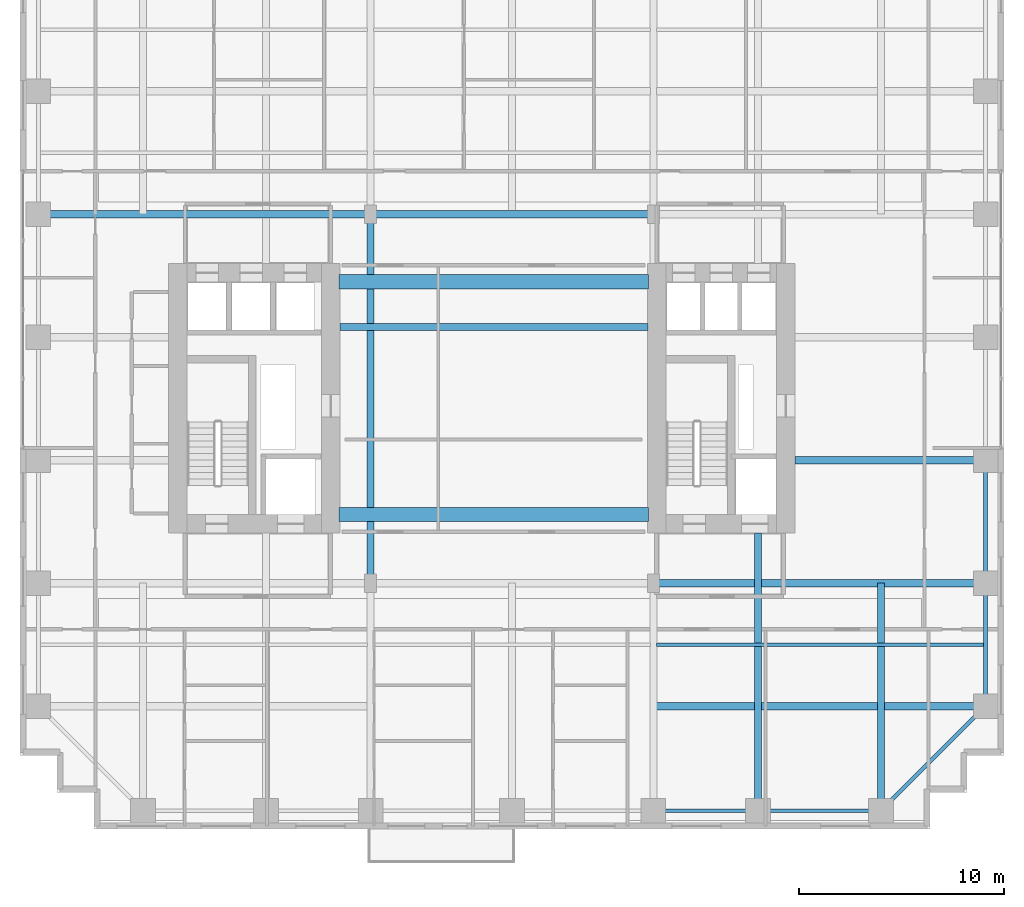
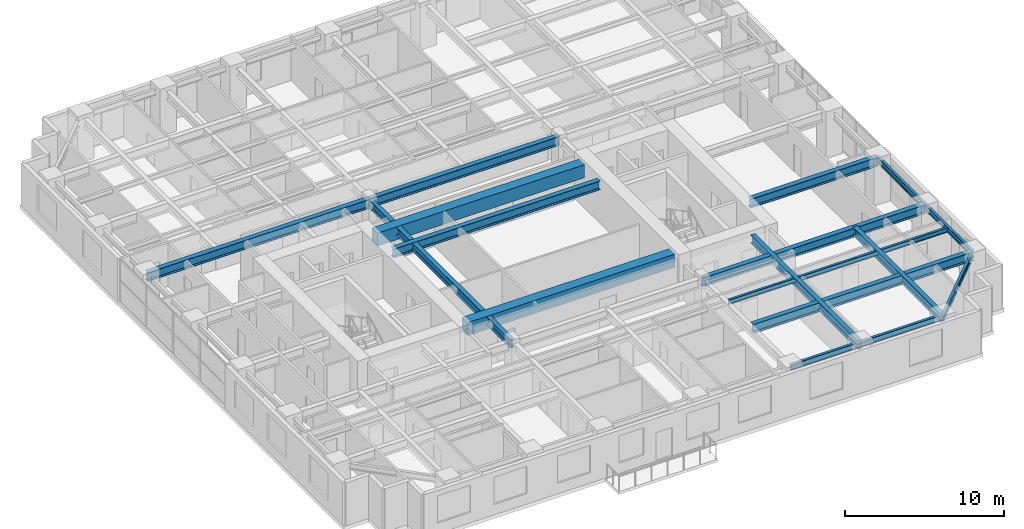
# One storey, part 3 of 19: 17 beams.
"""IFC4 building model written with IfcOpenShell, lengths in metres."""

from ifc_helpers import new_model, si_unit, direction, frame, origin, origin_2d, place, context, subcontext, project, spatial, rectangle, i_section, extrude, source, transform, mapped, material, material_profile, profile_set, type_object, element, save


model = new_model("IFC4")

# Units and contexts
model_context = context("Model", 3, precision=1e-05, world=origin(), true_north=direction((0.0, 1.0)))
body_context = subcontext(model_context, "Body", "Model", "MODEL_VIEW")
ifc_project = project(units=[si_unit("LENGTHUNIT", "METRE"), si_unit("AREAUNIT", "SQUARE_METRE"), si_unit("VOLUMEUNIT", "CUBIC_METRE"), si_unit("PLANEANGLEUNIT", "RADIAN"), si_unit("MASSUNIT", "GRAM", prefix="KILO")], contexts=[model_context])

# Site, building, storey
site_placement = place(None, origin())
site = spatial("IfcSite", under=ifc_project, at=site_placement, CompositionType="ELEMENT")
building_placement = place(site_placement, origin())
building = spatial("IfcBuilding", under=site, at=building_placement, Name="Khoralis Quay Care Tower", CompositionType="ELEMENT")
storey_placement = place(building_placement, frame((0.0, 0.0, 69.300048828125)))
storey = spatial("IfcBuildingStorey", under=building, at=storey_placement, Name="L18", CompositionType="ELEMENT", Elevation=69.300048828125)

# Beams
ifc_material_1 = material(Name="Concrete C80/95", Category="concrete")
ifc_material_profile_1 = material_profile(ifc_material_1, rectangle(XDim=0.699951171875, YDim=1.0, at=origin_2d()), Name="Concrete C80/95")
ifc_profile_set_1 = profile_set([ifc_material_profile_1], Name="Concrete C80/95")
beam_type_1 = type_object("IfcBeamType", Name="CB-RC700X1000", PredefinedType="LINTEL", material=ifc_profile_set_1)
shared_shape_1 = source(origin(), body_context, "Body", "SweptSolid", [
    extrude(rectangle(XDim=0.699951171875, YDim=1.0, at=origin_2d()), origin(), (0.0, 0.0, 1.0), 15.079833984375),
])
for number, where, z_axis, x_axis, name in (
    (1, (15.570068359375, 15.35009765625, 2.820068359375), (1.0, 0.0, 0.0), (0.0, 1.0, 0.0), "L18 South Core Coupling Lintel"),
    (2, (15.570068359375, 26.699951171875, 2.820068359375), (1.0, 0.0, 0.0), (0.0, 1.0, 0.0), "L18 North Core Coupling Lintel"),
):
    element("IfcBeam", number, at=place(storey_placement, frame(where, z_axis=z_axis, x_axis=x_axis)), inside=storey, type_object=beam_type_1, Name=name, PredefinedType="LINTEL", context=body_context, shape_type="MappedRepresentation", body=[
        mapped(shared_shape_1, transform((0.0, 0.0, 0.0), scale=1.0)),
    ])
ifc_material_2 = material(Name="Steel S355", Category="steel")
ifc_material_profile_2 = material_profile(ifc_material_2, i_section(OverallWidth=0.18994140625, OverallDepth=0.449951171875, WebThickness=0.009521484375, FlangeThickness=0.0146484375, FilletRadius=0.02099609375, at=origin_2d()), Name="Steel S355")
ifc_profile_set_2 = profile_set([ifc_material_profile_2], Name="Steel S355")
beam_type_2 = type_object("IfcBeamType", Name="BM-IPE450", PredefinedType="SPANDREL", material=ifc_profile_set_2)
shared_shape_2 = source(origin(), body_context, "Body", "SweptSolid", [
    extrude(i_section(OverallWidth=0.18994140625, OverallDepth=0.449951171875, WebThickness=0.009521484375, FlangeThickness=0.0146484375, FilletRadius=0.02099609375, at=origin_2d()), origin(), (0.0, 0.0, 1.0), 6.0),
])
for number, where, z_axis, x_axis, name in (
    (3, (36.0, 0.89990234375, 3.094970703125), (1.0, 0.0, 0.0), (0.0, 1.0, 0.0), "BM-TSP-L18-06"),
    (4, (47.10009765625, 6.0, 3.094970703125), (0.0, 1.0, 0.0), (-1.0, 0.0, 0.0), "BM-TSP-L18-19"),
    (5, (47.10009765625, 12.0, 3.094970703125), (0.0, 1.0, 0.0), (-1.0, 0.0, 0.0), "BM-TSP-L18-20"),
):
    element("IfcBeam", number, at=place(storey_placement, frame(where, z_axis=z_axis, x_axis=x_axis)), inside=storey, type_object=beam_type_2, Name=name, PredefinedType="SPANDREL", context=body_context, shape_type="MappedRepresentation", body=[
        mapped(shared_shape_2, transform((0.0, 0.0, 0.0), scale=1.0)),
    ])
shared_shape_3 = source(origin(), body_context, "Body", "SweptSolid", [
    extrude(i_section(OverallWidth=0.18994140625, OverallDepth=0.449951171875, WebThickness=0.009521484375, FlangeThickness=0.0146484375, FilletRadius=0.02099609375, at=origin_2d()), origin(), (0.0, 0.0, 1.0), 5.10009765625),
])
beam_1_placement = place(storey_placement, frame((30.89990234375, 0.89990234375, 3.094970703125), z_axis=(1.0, 0.0, 0.0), x_axis=(0.0, 1.0, 0.0)))
element("IfcBeam", 6, at=beam_1_placement, inside=storey, type_object=beam_type_2, Name="BM-TSP-L18-05", PredefinedType="SPANDREL", context=body_context, shape_type="MappedRepresentation", body=[
    mapped(shared_shape_3, transform((0.0, 0.0, 0.0), scale=1.0)),
])
shared_shape_4 = source(origin(), body_context, "Body", "SweptSolid", [
    extrude(i_section(OverallWidth=0.18994140625, OverallDepth=0.449951171875, WebThickness=0.009521484375, FlangeThickness=0.0146484375, FilletRadius=0.02099609375, at=origin_2d()), origin(), (0.0, 0.0, 1.0), 7.212646484375),
])
beam_2_placement = place(storey_placement, frame((42.0, 0.89990234375, 3.094970703125), z_axis=(0.707106781187, 0.707106781187, 0.0), x_axis=(-0.707106781187, 0.707106781187, 0.0)))
element("IfcBeam", 7, at=beam_2_placement, inside=storey, type_object=beam_type_2, Name="BM-TCR-L18-26", PredefinedType="SPANDREL", context=body_context, shape_type="MappedRepresentation", body=[
    mapped(shared_shape_4, transform((0.0, 0.0, 0.0), scale=1.0)),
])
ifc_material_profile_3 = material_profile(ifc_material_2, i_section(OverallWidth=0.35498046875, OverallDepth=0.695068359375, WebThickness=0.015380859375, FlangeThickness=0.02490234375, FilletRadius=0.02001953125, at=origin_2d()), Name="Steel S355")
ifc_profile_set_3 = profile_set([ifc_material_profile_3], Name="Steel S355")
beam_type_3 = type_object("IfcBeamType", Name="BM-W690X217", PredefinedType="BEAM", material=ifc_profile_set_3)
shared_shape_5 = source(origin(), body_context, "Body", "SweptSolid", [
    extrude(i_section(OverallWidth=0.35498046875, OverallDepth=0.695068359375, WebThickness=0.015380859375, FlangeThickness=0.02490234375, FilletRadius=0.02001953125, at=origin_2d()), origin(), (0.0, 0.0, 1.0), 16.049560546875),
])
beam_3_placement = place(storey_placement, frame((31.050537109375, 6.0, 2.972412109375), z_axis=(1.0, 0.0, 0.0), x_axis=(0.0, 1.0, 0.0)))
element("IfcBeam", 8, at=beam_3_placement, inside=storey, type_object=beam_type_3, Name="BM-TGXE-L18-60", PredefinedType="BEAM", context=body_context, shape_type="MappedRepresentation", body=[
    mapped(shared_shape_5, transform((0.0, 0.0, 0.0), scale=1.0)),
])
shared_shape_6 = source(origin(), body_context, "Body", "SweptSolid", [
    extrude(i_section(OverallWidth=0.35498046875, OverallDepth=0.695068359375, WebThickness=0.015380859375, FlangeThickness=0.02490234375, FilletRadius=0.02001953125, at=origin_2d()), origin(), (0.0, 0.0, 1.0), 16.2001953125),
])
for number, where, z_axis, x_axis, name in (
    (9, (0.89990234375, 30.0, 2.972412109375), (1.0, 0.0, 0.0), (0.0, 1.0, 0.0), "BM-TGXW-L18-300"),
    (10, (30.89990234375, 12.0, 2.972412109375), (1.0, 0.0, 0.0), (0.0, 1.0, 0.0), "BM-TGXE-L18-120"),
):
    element("IfcBeam", number, at=place(storey_placement, frame(where, z_axis=z_axis, x_axis=x_axis)), inside=storey, type_object=beam_type_3, Name=name, PredefinedType="BEAM", context=body_context, shape_type="MappedRepresentation", body=[
        mapped(shared_shape_6, transform((0.0, 0.0, 0.0), scale=1.0)),
    ])
shared_shape_7 = source(origin(), body_context, "Body", "SweptSolid", [
    extrude(i_section(OverallWidth=0.35498046875, OverallDepth=0.695068359375, WebThickness=0.015380859375, FlangeThickness=0.02490234375, FilletRadius=0.02001953125, at=origin_2d()), origin(), (0.0, 0.0, 1.0), 9.302001953125),
])
beam_4_placement = place(storey_placement, frame((37.798095703125, 18.0, 2.972412109375), z_axis=(1.0, 0.0, 0.0), x_axis=(0.0, 1.0, 0.0)))
element("IfcBeam", 11, at=beam_4_placement, inside=storey, type_object=beam_type_3, Name="BM-TGXE-L18-180", PredefinedType="BEAM", context=body_context, shape_type="MappedRepresentation", body=[
    mapped(shared_shape_7, transform((0.0, 0.0, 0.0), scale=1.0)),
])
shared_shape_8 = source(origin(), body_context, "Body", "SweptSolid", [
    extrude(i_section(OverallWidth=0.35498046875, OverallDepth=0.695068359375, WebThickness=0.015380859375, FlangeThickness=0.02490234375, FilletRadius=0.02001953125, at=origin_2d()), origin(), (0.0, 0.0, 1.0), 13.7998046875),
])
beam_5_placement = place(storey_placement, frame((17.10009765625, 30.0, 2.972412109375), z_axis=(1.0, 0.0, 0.0), x_axis=(0.0, 1.0, 0.0)))
element("IfcBeam", 12, at=beam_5_placement, inside=storey, type_object=beam_type_3, Name="BM-TGCC-L18-300", PredefinedType="BEAM", context=body_context, shape_type="MappedRepresentation", body=[
    mapped(shared_shape_8, transform((0.0, 0.0, 0.0), scale=1.0)),
])
shared_shape_9 = source(origin(), body_context, "Body", "SweptSolid", [
    extrude(i_section(OverallWidth=0.35498046875, OverallDepth=0.695068359375, WebThickness=0.015380859375, FlangeThickness=0.02490234375, FilletRadius=0.02001953125, at=origin_2d()), origin(), (0.0, 0.0, 1.0), 15.024169921875),
])
beam_6_placement = place(storey_placement, frame((15.597900390625, 24.5, 2.972412109375), z_axis=(1.0, 0.0, 0.0), x_axis=(0.0, 1.0, 0.0)))
element("IfcBeam", 13, at=beam_6_placement, inside=storey, type_object=beam_type_3, Name="BM-TGCC-L18-245", PredefinedType="BEAM", context=body_context, shape_type="MappedRepresentation", body=[
    mapped(shared_shape_9, transform((0.0, 0.0, 0.0), scale=1.0)),
])
ifc_material_profile_4 = material_profile(ifc_material_2, i_section(OverallWidth=0.324951171875, OverallDepth=0.615966796875, WebThickness=0.013916015625, FlangeThickness=0.021484375, FilletRadius=0.01806640625, at=origin_2d()), Name="Steel S355")
ifc_profile_set_4 = profile_set([ifc_material_profile_4], Name="Steel S355")
beam_type_4 = type_object("IfcBeamType", Name="BM-W610X174", PredefinedType="BEAM", material=ifc_profile_set_4)
shared_shape_10 = source(origin(), body_context, "Body", "SweptSolid", [
    extrude(i_section(OverallWidth=0.324951171875, OverallDepth=0.615966796875, WebThickness=0.013916015625, FlangeThickness=0.021484375, FilletRadius=0.01806640625, at=origin_2d()), origin(), (0.0, 0.0, 1.0), 11.10009765625),
])
beam_7_placement = place(storey_placement, frame((42.0, 0.89990234375, 3.011962890625), z_axis=(0.0, 1.0, 0.0), x_axis=(-1.0, 0.0, 0.0)))
element("IfcBeam", 14, at=beam_7_placement, inside=storey, type_object=beam_type_4, Name="BM-TGYS-L18-420", PredefinedType="BEAM", context=body_context, shape_type="MappedRepresentation", body=[
    mapped(shared_shape_10, transform((0.0, 0.0, 0.0), scale=1.0)),
])
shared_shape_11 = source(origin(), body_context, "Body", "SweptSolid", [
    extrude(i_section(OverallWidth=0.324951171875, OverallDepth=0.615966796875, WebThickness=0.013916015625, FlangeThickness=0.021484375, FilletRadius=0.01806640625, at=origin_2d()), origin(), (0.0, 0.0, 1.0), 13.552001953125),
])
beam_8_placement = place(storey_placement, frame((36.0, 0.89990234375, 3.011962890625), z_axis=(0.0, 1.0, 0.0), x_axis=(-1.0, 0.0, 0.0)))
element("IfcBeam", 15, at=beam_8_placement, inside=storey, type_object=beam_type_4, Name="BM-TGYS-L18-360", PredefinedType="BEAM", context=body_context, shape_type="MappedRepresentation", body=[
    mapped(shared_shape_11, transform((0.0, 0.0, 0.0), scale=1.0)),
])
shared_shape_12 = source(origin(), body_context, "Body", "SweptSolid", [
    extrude(i_section(OverallWidth=0.324951171875, OverallDepth=0.615966796875, WebThickness=0.013916015625, FlangeThickness=0.021484375, FilletRadius=0.01806640625, at=origin_2d()), origin(), (0.0, 0.0, 1.0), 18.0),
])
beam_9_placement = place(storey_placement, frame((17.10009765625, 12.0, 3.011962890625), z_axis=(0.0, 1.0, 0.0), x_axis=(-1.0, 0.0, 0.0)))
element("IfcBeam", 16, at=beam_9_placement, inside=storey, type_object=beam_type_4, Name="BM-TGSW-L18", PredefinedType="BEAM", context=body_context, shape_type="MappedRepresentation", body=[
    mapped(shared_shape_12, transform((0.0, 0.0, 0.0), scale=1.0)),
])
ifc_material_profile_5 = material_profile(ifc_material_2, i_section(OverallWidth=0.1708984375, OverallDepth=0.35498046875, WebThickness=0.007080078125, FlangeThickness=0.01171875, FilletRadius=0.012939453125, at=origin_2d()), Name="Steel S355")
ifc_profile_set_5 = profile_set([ifc_material_profile_5], Name="Steel S355")
beam_type_5 = type_object("IfcBeamType", Name="BM-W360X51", PredefinedType="JOIST", material=ifc_profile_set_5)
shared_shape_13 = source(origin(), body_context, "Body", "SweptSolid", [
    extrude(i_section(OverallWidth=0.1708984375, OverallDepth=0.35498046875, WebThickness=0.007080078125, FlangeThickness=0.01171875, FilletRadius=0.012939453125, at=origin_2d()), origin(), (0.0, 0.0, 1.0), 15.968505859375),
])
beam_10_placement = place(storey_placement, frame((31.050537109375, 9.0, 3.142333984375), z_axis=(1.0, 0.0, 0.0), x_axis=(0.0, 1.0, 0.0)))
element("IfcBeam", 17, at=beam_10_placement, inside=storey, type_object=beam_type_5, Name="BM-TJS-L18-30", PredefinedType="JOIST", context=body_context, shape_type="MappedRepresentation", body=[
    mapped(shared_shape_13, transform((0.0, 0.0, 0.0), scale=1.0)),
])

save(model, "model.ifc")
